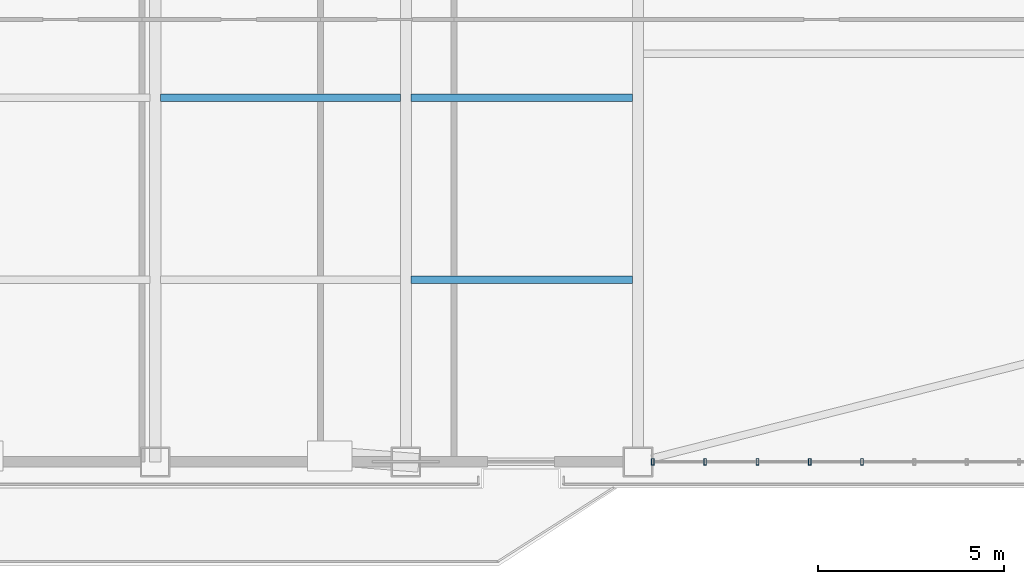
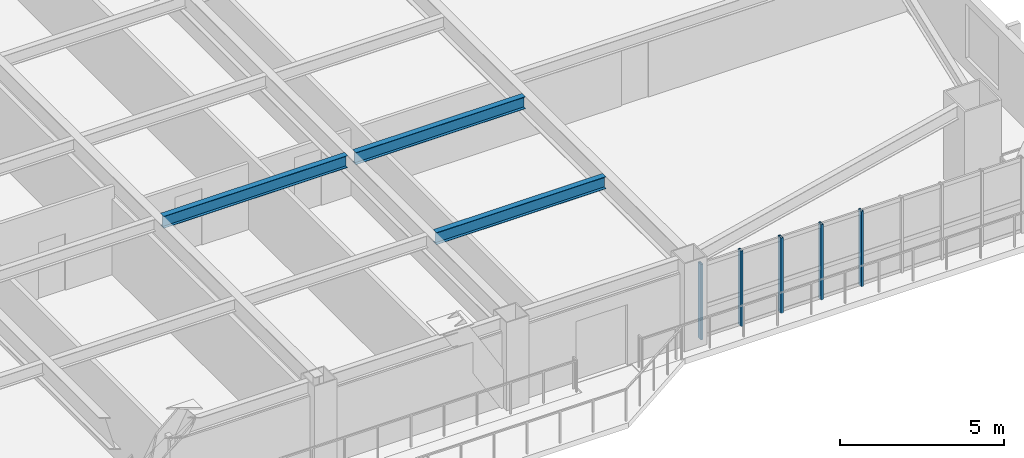
# One storey, part 4 of 17: 5 members, 3 beams, 1 element without a shape of its own.
"""IFC4 building model written with IfcOpenShell, lengths in metres."""

from ifc_helpers import new_model, si_unit, direction, frame, origin, origin_2d, place, context, subcontext, project, spatial, hollow_rectangle, i_section, extrude, source, transform, mapped, material, layer, layer_set, material_profile, profile_set, type_object, element, aggregate, save


model = new_model("IFC4")

# Units and contexts
model_context = context("Model", 3, precision=1e-05, world=origin(), true_north=direction((0.0, 1.0)))
body_context = subcontext(model_context, "Body", "Model", "MODEL_VIEW")
ifc_project = project(units=[si_unit("LENGTHUNIT", "METRE"), si_unit("AREAUNIT", "SQUARE_METRE"), si_unit("VOLUMEUNIT", "CUBIC_METRE"), si_unit("PLANEANGLEUNIT", "RADIAN"), si_unit("MASSUNIT", "GRAM", prefix="KILO")], contexts=[model_context])

# Site, building, storey
site_placement = place(None, origin())
site = spatial("IfcSite", under=ifc_project, at=site_placement, CompositionType="ELEMENT")
building_placement = place(site_placement, origin())
building = spatial("IfcBuilding", under=site, at=building_placement, Name="Giltprow Tower", CompositionType="ELEMENT")
storey_placement = place(building_placement, frame((0.0, 0.0, 137.699951171875)))
storey = spatial("IfcBuildingStorey", under=building, at=storey_placement, Name="L33", CompositionType="ELEMENT", Elevation=137.699951171875)

# Beams
ifc_material_1 = material(Name="Structural steel Q355B", Category="steel")
ifc_material_profile_1 = material_profile(ifc_material_1, i_section(OverallWidth=0.199951171875, OverallDepth=0.449951171875, WebThickness=0.009033203125, FlangeThickness=0.013916015625, at=origin_2d()), Name="HN 450x200x9x14")
ifc_profile_set_1 = profile_set([ifc_material_profile_1], Name="Structural steel Q355B")
beam_type = type_object("IfcBeamType", Name="BM-JOIST-HN450", PredefinedType="JOIST", material=ifc_profile_set_1)
shared_shape_1 = source(origin(), body_context, "Body", "SweptSolid", [
    extrude(i_section(OverallWidth=0.199951171875, OverallDepth=0.449951171875, WebThickness=0.009033203125, FlangeThickness=0.013916015625, at=origin_2d()), origin(), (0.0, 0.0, 1.0), 6.4599609375),
])
beam_placement = place(storey_placement, frame((37.695068359375, 17.846923828125, 3.045166015625), z_axis=(1.0, 0.0, 0.0), x_axis=(0.0, 1.0, 0.0)))
element("IfcBeam", 1, at=beam_placement, inside=storey, type_object=beam_type, Name="L33 Composite Floor Joist 2-3", PredefinedType="JOIST", context=body_context, shape_type="MappedRepresentation", body=[
    mapped(shared_shape_1, transform((0.0, 0.0, 0.0), x_axis=(1.0, 0.0, 0.0), y_axis=(0.0, 1.0, 0.0), z_axis=(0.0, 0.0, 1.0), scale=1.0)),
])
shared_shape_2 = source(origin(), body_context, "Body", "SweptSolid", [
    extrude(i_section(OverallWidth=0.199951171875, OverallDepth=0.449951171875, WebThickness=0.009033203125, FlangeThickness=0.013916015625, at=origin_2d()), origin(), (0.0, 0.0, 1.0), 5.9599609375),
])
for number, where, z_axis, x_axis, name in (
    (2, (44.445068359375, 12.946044921875, 3.045166015625), (1.0, 0.0, 0.0), (0.0, 1.0, 0.0), "L33 Composite Floor Joist 1-4"),
    (3, (44.445068359375, 17.846923828125, 3.045166015625), (1.0, 0.0, 0.0), (0.0, 1.0, 0.0), "L33 Composite Floor Joist 2-4"),
):
    element("IfcBeam", number, at=place(storey_placement, frame(where, z_axis=z_axis, x_axis=x_axis)), inside=storey, type_object=beam_type, Name=name, PredefinedType="JOIST", context=body_context, shape_type="MappedRepresentation", body=[
        mapped(shared_shape_2, transform((0.0, 0.0, 0.0), x_axis=(1.0, 0.0, 0.0), y_axis=(0.0, 1.0, 0.0), z_axis=(0.0, 0.0, 1.0), scale=1.0)),
    ])

# Curtain wall, members
ifc_material_2 = material(Name="Anodized bronze", Category="metal")
ifc_layer = layer(ifc_material_2, 0.179931640625, Name="Anodized bronze")
ifc_layer_set = layer_set([ifc_layer], Name="Anodized bronze")
curtain_wall_type = type_object("IfcCurtainWallType", Name="CW-HTL-BRONZE", PredefinedType="NOTDEFINED", material=ifc_layer_set)
curtain_wall_placement = place(storey_placement, origin())
curtain_wall = element("IfcCurtainWall", 4, at=curtain_wall_placement, inside=storey, type_object=curtain_wall_type, Name="L33 South Recessed Curtain Wall 6", PredefinedType="NOTDEFINED")
ifc_material_profile_2 = material_profile(ifc_material_2, hollow_rectangle(XDim=0.074951171875, YDim=0.179931640625, WallThickness=0.008056640625, at=origin_2d()), Name="RHS 180x75x8")
ifc_profile_set_2 = profile_set([ifc_material_profile_2], Name="Anodized bronze")
member_type = type_object("IfcMemberType", Name="CW-MULLION-180x75", PredefinedType="MULLION", material=ifc_profile_set_2)
shared_shape_3 = source(origin(), body_context, "Body", "SweptSolid", [
    extrude(hollow_rectangle(XDim=0.074951171875, YDim=0.179931640625, WallThickness=0.008056640625, at=origin_2d()), origin(), (0.0, 0.0, 1.0), 2.80517578125),
])
member_1_placement = place(storey_placement, frame((50.949951171875, 8.044921875, -0.02001953125), z_axis=(0.0, 0.0, 1.0), x_axis=(1.0, 0.0, 0.0)))
member_1 = element("IfcMember", 5, at=member_1_placement, type_object=member_type, Name="L33 South Recessed Curtain Wall 6 Mullion 1", PredefinedType="MULLION", context=body_context, shape_type="MappedRepresentation", body=[
    mapped(shared_shape_3, transform((0.0, 0.0, 0.0), x_axis=(1.0, 0.0, 0.0), y_axis=(0.0, 1.0, 0.0), z_axis=(0.0, 0.0, 1.0), scale=1.0)),
])
member_2_placement = place(storey_placement, frame((52.35888671875, 8.044921875, -0.02001953125), z_axis=(0.0, 0.0, 1.0), x_axis=(1.0, 0.0, 0.0)))
member_2 = element("IfcMember", 6, at=member_2_placement, type_object=member_type, Name="L33 South Recessed Curtain Wall 6 Mullion 2", PredefinedType="MULLION", context=body_context, shape_type="MappedRepresentation", body=[
    mapped(shared_shape_3, transform((0.0, 0.0, 0.0), x_axis=(1.0, 0.0, 0.0), y_axis=(0.0, 1.0, 0.0), z_axis=(0.0, 0.0, 1.0), scale=1.0)),
])
member_3_placement = place(storey_placement, frame((53.76806640625, 8.044921875, -0.02001953125), z_axis=(0.0, 0.0, 1.0), x_axis=(1.0, 0.0, 0.0)))
member_3 = element("IfcMember", 7, at=member_3_placement, type_object=member_type, Name="L33 South Recessed Curtain Wall 6 Mullion 3", PredefinedType="MULLION", context=body_context, shape_type="MappedRepresentation", body=[
    mapped(shared_shape_3, transform((0.0, 0.0, 0.0), x_axis=(1.0, 0.0, 0.0), y_axis=(0.0, 1.0, 0.0), z_axis=(0.0, 0.0, 1.0), scale=1.0)),
])
member_4_placement = place(storey_placement, frame((55.177001953125, 8.044921875, -0.02001953125), z_axis=(0.0, 0.0, 1.0), x_axis=(1.0, 0.0, 0.0)))
member_4 = element("IfcMember", 8, at=member_4_placement, type_object=member_type, Name="L33 South Recessed Curtain Wall 6 Mullion 4", PredefinedType="MULLION", context=body_context, shape_type="MappedRepresentation", body=[
    mapped(shared_shape_3, transform((0.0, 0.0, 0.0), x_axis=(1.0, 0.0, 0.0), y_axis=(0.0, 1.0, 0.0), z_axis=(0.0, 0.0, 1.0), scale=1.0)),
])
member_5_placement = place(storey_placement, frame((56.5849609375, 8.044921875, -0.02001953125), z_axis=(0.0, 0.0, 1.0), x_axis=(1.0, 0.0, 0.0)))
member_5 = element("IfcMember", 9, at=member_5_placement, type_object=member_type, Name="L33 South Recessed Curtain Wall 6 Mullion 5", PredefinedType="MULLION", context=body_context, shape_type="MappedRepresentation", body=[
    mapped(shared_shape_3, transform((0.0, 0.0, 0.0), x_axis=(1.0, 0.0, 0.0), y_axis=(0.0, 1.0, 0.0), z_axis=(0.0, 0.0, 1.0), scale=1.0)),
])
aggregate(curtain_wall, [member_1, member_2, member_3, member_4, member_5])

save(model, "model.ifc")
